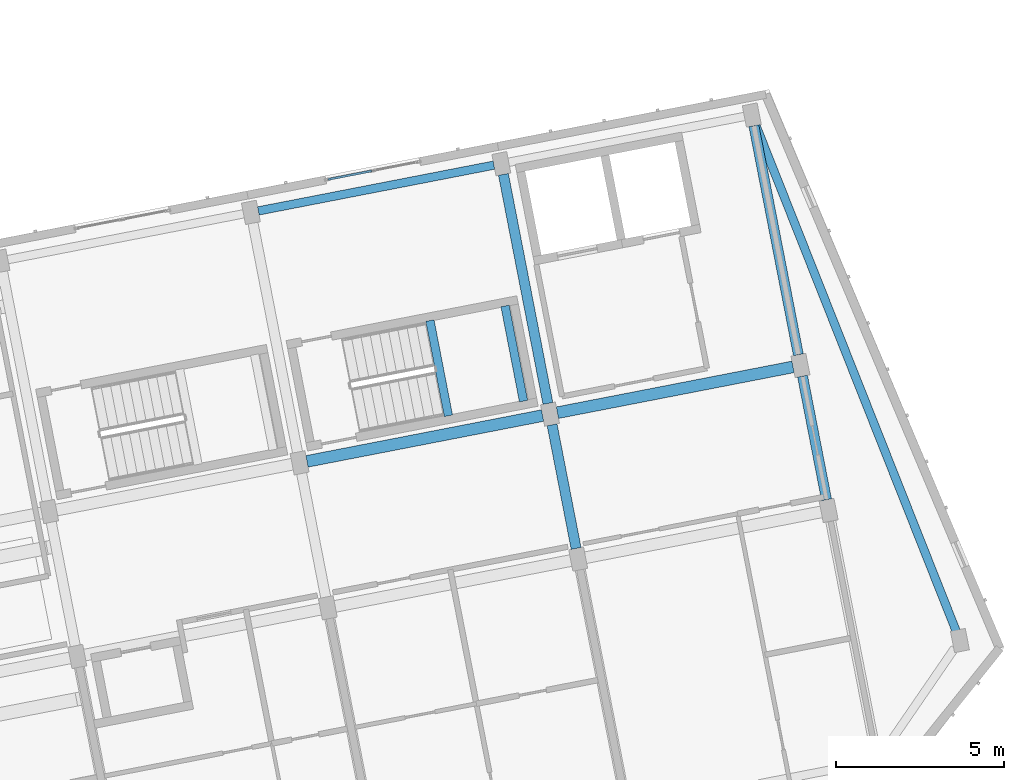
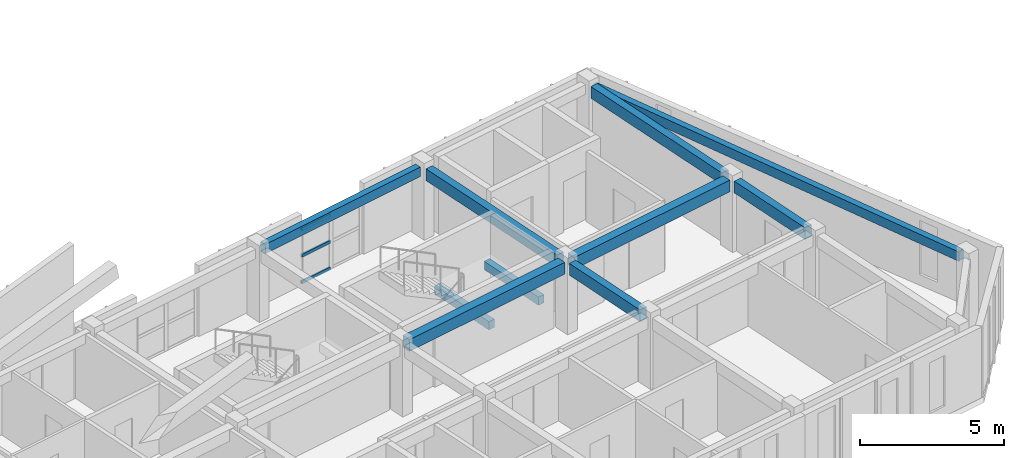
# One storey, part 11 of 64: 10 beams, 3 members, 1 element without a shape of its own.
"""IFC4 building model written with IfcOpenShell, lengths in metres."""

import ifcopenshell
import ifcopenshell.guid

model = None  # the IFC model being written
_history = None  # IfcOwnerHistory: only IFC2X3 demands one
_inside = {}  # id of a spatial element -> (the spatial element, [elements in it])
_under = {}  # id of a project, library or spatial element -> (it, [spatial elements below it])
_declared = {}  # id of a project -> (the project, [libraries it declares])
_typed = {}  # id of a type object -> (the type object, [elements of that type])
_made_of = {}  # id of a material, layer set ... -> (it, [elements and type objects made of it])


def new_model(schema):
    """Start an empty IFC model of exactly this schema.

    Asked for "IFC4X3", IfcOpenShell would pick the latest addendum, in which some entities
    have other attributes; the version numbers below select the first issue.
    IFC2X3 requires an IfcOwnerHistory on every rooted entity: one is made here for all.
    """
    global model, _history
    if schema == "IFC4X3":
        model = ifcopenshell.file(schema_version=(4, 3, 0, 0))
    else:
        model = ifcopenshell.file(schema=schema)
    _inside.clear()
    _under.clear()
    _declared.clear()
    _typed.clear()
    _made_of.clear()
    _history = None
    if model.schema == "IFC2X3":
        org = make("IfcOrganization", Name="unknown")
        user = make(
            "IfcPersonAndOrganization",
            ThePerson=make("IfcPerson", FamilyName="unknown"),
            TheOrganization=org,
        )
        app = make(
            "IfcApplication",
            ApplicationDeveloper=org,
            Version="unknown",
            ApplicationFullName="unknown",
            ApplicationIdentifier="unknown",
        )
        _history = make(
            "IfcOwnerHistory",
            OwningUser=user,
            OwningApplication=app,
            ChangeAction="ADDED",
            CreationDate=0,
        )
    return model


def make(cls, **values):
    """One entity of the class cls with the attributes given. An attribute that is None is left unset."""
    return model.create_entity(
        cls, **{name: value for name, value in values.items() if value is not None}
    )


def rooted(cls, **values):
    """An entity with a GlobalId (a new one), such as an element, a storey or a relation."""
    return make(cls, GlobalId=ifcopenshell.guid.new(), OwnerHistory=_history, **values)


def si_unit(unit_type, name, prefix=None):
    """IfcSIUnit, for example si_unit("LENGTHUNIT", "METRE", prefix="MILLI")."""
    return make("IfcSIUnit", UnitType=unit_type, Prefix=prefix, Name=name)


def assignment(units):
    """IfcUnitAssignment: the units of a project."""
    return None if units is None else make("IfcUnitAssignment", Units=units)


def point(xyz):
    """IfcCartesianPoint."""
    return None if xyz is None else make("IfcCartesianPoint", Coordinates=xyz)


def direction(xyz):
    """IfcDirection."""
    return None if xyz is None else make("IfcDirection", DirectionRatios=xyz)


def frame(location, z_axis=None, x_axis=None):
    """IfcAxis2Placement3D, a coordinate frame: its origin and axes. An axis left out is left unset."""
    return make(
        "IfcAxis2Placement3D",
        Location=point(location),
        Axis=direction(z_axis),
        RefDirection=direction(x_axis),
    )


def frame_2d(location, x_axis=None):
    """IfcAxis2Placement2D, a coordinate frame in the plane: its origin and x axis."""
    return make(
        "IfcAxis2Placement2D", Location=point(location), RefDirection=direction(x_axis)
    )


def origin():
    """The frame at (0, 0, 0) with its axes left unset."""
    return frame((0.0, 0.0, 0.0))


def origin_2d():
    """The frame at (0, 0) in the plane with its x axis left unset."""
    return frame_2d((0.0, 0.0))


def place(relative_to, where):
    """IfcLocalPlacement: puts the frame where relative to a parent placement (None: the world)."""
    return make(
        "IfcLocalPlacement", PlacementRelTo=relative_to, RelativePlacement=where
    )


def context(
    kind, dimensions, precision=None, world=None, true_north=None, identifier=None
):
    """IfcGeometricRepresentationContext, for example the 3D "Model" context."""
    return make(
        "IfcGeometricRepresentationContext",
        ContextIdentifier=identifier,
        ContextType=kind,
        CoordinateSpaceDimension=dimensions,
        Precision=precision,
        WorldCoordinateSystem=world,
        TrueNorth=true_north,
    )


def subcontext(parent, identifier, kind, view, scale=None):
    """IfcGeometricRepresentationSubContext, for example "Body" below "Model"."""
    return make(
        "IfcGeometricRepresentationSubContext",
        ContextIdentifier=identifier,
        ContextType=kind,
        ParentContext=parent,
        TargetScale=scale,
        TargetView=view,
    )


def project(units=None, contexts=None):
    """IfcProject with its units and contexts."""
    return rooted(
        "IfcProject",
        Name="project",
        RepresentationContexts=contexts,
        UnitsInContext=assignment(units),
    )


def spatial(cls, under=None, at=None, **own):
    """A site, building, storey or space (cls), placed at a placement, below another one or the project."""
    s = rooted(cls, ObjectPlacement=at, **own)
    if under is not None:
        _under.setdefault(under.id(), (under, []))[1].append(s)
    return s


def profile(cls, at=None, kind="AREA", **sizes):
    """A parametric profile (cls). Its sizes go by their IFC names, for example OverallWidth=200.0."""
    return make(cls, ProfileType=kind, Position=at, **sizes)


def rectangle(**sizes):
    """IfcRectangleProfileDef."""
    return profile("IfcRectangleProfileDef", **sizes)


def hollow_rectangle(**sizes):
    """IfcRectangleHollowProfileDef."""
    return profile("IfcRectangleHollowProfileDef", **sizes)


def extrude(swept, where, along, depth):
    """IfcExtrudedAreaSolid: the profile swept, set in the frame where, extruded along a direction by depth."""
    return make(
        "IfcExtrudedAreaSolid",
        SweptArea=swept,
        Position=where,
        ExtrudedDirection=direction(along),
        Depth=depth,
    )


def shape(context_of_items, identifier, shape_type, items):
    """IfcShapeRepresentation: the items that make up one representation, for example the "Body"."""
    return make(
        "IfcShapeRepresentation",
        ContextOfItems=context_of_items,
        RepresentationIdentifier=identifier,
        RepresentationType=shape_type,
        Items=items,
    )


def material(Name=None, Category=None):
    """IfcMaterial."""
    return make("IfcMaterial", Name=Name, Category=Category)


def material_profile(
    of_material, cross_section, Name=None, Category=None, Priority=None
):
    """IfcMaterialProfile: a cross section and its material."""
    return make(
        "IfcMaterialProfile",
        Name=Name,
        Material=of_material,
        Profile=cross_section,
        Priority=Priority,
        Category=Category,
    )


def profile_set(profiles, Name=None, composite=None):
    """IfcMaterialProfileSet."""
    return make(
        "IfcMaterialProfileSet",
        Name=Name,
        MaterialProfiles=profiles,
        CompositeProfile=composite,
    )


def made_of(thing, what):
    """Note that an element or type object is made of a material, layer set ...; save() writes the relation."""
    if what is not None:
        _made_of.setdefault(what.id(), (what, []))[1].append(thing)
    return thing


def type_object(cls, material=None, **own):
    """A type object (cls), such as IfcWallType, which elements share."""
    return made_of(rooted(cls, **own), material)


def element(
    cls,
    number,
    at=None,
    inside=None,
    cuts=None,
    type_object=None,
    material=None,
    context=None,
    identifier="Body",
    shape_type=None,
    held_by="IfcProductDefinitionShape",
    body=None,
    shapes=None,
    **own,
):
    """One element of the class cls, such as IfcWall. Its Tag is "e" and its number.

    at: its placement. inside: the storey or other place that contains it. cuts: it is an
    opening in that element (IfcRelVoidsElement). A single representation is given by context,
    identifier, shape_type and body (its items); several are given by shapes. held_by: the class
    of the entity that holds the representations. save() writes the other relations.
    """
    e = rooted(cls, Tag="e%d" % number, ObjectPlacement=at, **own)
    if body is not None:
        shapes = [shape(context, identifier, shape_type, body)]
    if shapes is not None:
        e.Representation = make(held_by, Representations=shapes)
    if inside is not None:
        _inside.setdefault(inside.id(), (inside, []))[1].append(e)
    if cuts is not None:
        rooted(
            "IfcRelVoidsElement", RelatingBuildingElement=cuts, RelatedOpeningElement=e
        )
    if type_object is not None:
        _typed.setdefault(type_object.id(), (type_object, []))[1].append(e)
    return made_of(e, material)


def aggregate(whole, parts):
    """IfcRelAggregates: a whole, such as a stair, and the parts it consists of."""
    return rooted("IfcRelAggregates", RelatingObject=whole, RelatedObjects=parts)


def save(model, path):
    """Write the relations noted so far, then the file.

    IfcRelAggregates (storeys below a building ...), IfcRelContainedInSpatialStructure (elements
    in a storey), IfcRelDefinesByType, IfcRelAssociatesMaterial and IfcRelDeclares: one each for
    every whole, place, type object, material and project.
    """
    for whole, parts in _under.values():
        aggregate(whole, parts)
    for where, things in _inside.values():
        rooted(
            "IfcRelContainedInSpatialStructure",
            RelatedElements=things,
            RelatingStructure=where,
        )
    for kind, things in _typed.values():
        rooted("IfcRelDefinesByType", RelatedObjects=things, RelatingType=kind)
    for what, things in _made_of.values():
        rooted("IfcRelAssociatesMaterial", RelatedObjects=things, RelatingMaterial=what)
    for by, libraries in _declared.values():
        rooted("IfcRelDeclares", RelatingContext=by, RelatedDefinitions=libraries)
    model.write(path)


model = new_model("IFC4")

# Units and contexts
model_context = context("Model", 3, precision=1e-05, world=origin(), true_north=direction((0.0, 1.0)))
body_context = subcontext(model_context, "Body", "Model", "MODEL_VIEW")
ifc_project = project(units=[si_unit("LENGTHUNIT", "METRE"), si_unit("AREAUNIT", "SQUARE_METRE"), si_unit("VOLUMEUNIT", "CUBIC_METRE"), si_unit("PLANEANGLEUNIT", "RADIAN"), si_unit("MASSUNIT", "GRAM", prefix="KILO")], contexts=[model_context])

# Site, building, storey
site_placement = place(None, origin())
site = spatial("IfcSite", under=ifc_project, at=site_placement, CompositionType="ELEMENT")
building_placement = place(site_placement, origin())
building = spatial("IfcBuilding", under=site, at=building_placement, Name="Kestramere Prow Commons", CompositionType="ELEMENT")
storey_placement = place(building_placement, frame((0.0, 0.0, 24.64990234375)))
storey = spatial("IfcBuildingStorey", under=building, at=storey_placement, Name="L07", CompositionType="ELEMENT", Elevation=24.64990234375)

# Beams
ifc_material_1 = material(Name="Precast concrete C40/50", Category="concrete")
ifc_material_profile_1 = material_profile(ifc_material_1, rectangle(XDim=0.35009765625, YDim=0.5, at=origin_2d()), Name="PC-BM 350x500")
ifc_profile_set_1 = profile_set([ifc_material_profile_1], Name="Precast concrete C40/50")
beam_type_1 = type_object("IfcBeamType", Name="BM-D1 PC-BM 350x500", PredefinedType="BEAM", material=ifc_profile_set_1)
for number, where, z_axis, x_axis, name in (
    (1, (146.172607421875, 51.623046875, 2.75), (0.981627472063, 0.190807510571, 0.0), (-0.190807510571, 0.981627472063, 0.0), "Block D L07 Longitudinal Beam 3-5"),
    (2, (153.633056640625, 53.0732421875, 2.75), (0.981627472063, 0.190807510571, 0.0), (-0.190807510571, 0.981627472063, 0.0), "Block D L07 Longitudinal Beam 3-6"),
):
    element("IfcBeam", number, at=place(storey_placement, frame(where, z_axis=z_axis, x_axis=x_axis)), inside=storey, type_object=beam_type_1, Name=name, PredefinedType="BEAM", context=body_context, shape_type="SweptSolid", body=[
        extrude(rectangle(XDim=0.35009765625, YDim=0.5, at=origin_2d()), origin(), (0.0, 0.0, 1.0), 7.14990234375),
    ])
ifc_material_2 = material(Name="Concrete C40/50", Category="concrete")
ifc_material_profile_2 = material_profile(ifc_material_2, rectangle(XDim=0.25, YDim=0.35009765625, at=origin_2d()), Name="PC-BM 250x350")
ifc_profile_set_2 = profile_set([ifc_material_profile_2], Name="Concrete C40/50")
beam_type_2 = type_object("IfcBeamType", Name="BM-ST-TRIM", PredefinedType="BEAM", material=ifc_profile_set_2)
beam_1_placement = place(storey_placement, frame((150.3857421875, 52.98193359375, 1.25), z_axis=(-0.190833481473, 0.981622423516, 0.0), x_axis=(-0.981622423516, -0.190833481473, 0.0)))
element("IfcBeam", 3, at=beam_1_placement, inside=storey, type_object=beam_type_2, Name="ST-D2 L07 Landing Trimmer Beam 1A", PredefinedType="BEAM", context=body_context, shape_type="SweptSolid", body=[
    extrude(rectangle(XDim=0.25, YDim=0.35009765625, at=origin_2d()), origin(), (0.0, 0.0, 1.0), 2.89013671875),
])
beam_2_placement = place(storey_placement, frame((152.623779296875, 53.4169921875, 1.25), z_axis=(-0.190752078966, 0.981638245165, 0.0), x_axis=(-0.981638245165, -0.190752078966, 0.0)))
element("IfcBeam", 4, at=beam_2_placement, inside=storey, type_object=beam_type_2, Name="ST-D2 L07 Landing Trimmer Beam 1B", PredefinedType="BEAM", context=body_context, shape_type="SweptSolid", body=[
    extrude(rectangle(XDim=0.25, YDim=0.35009765625, at=origin_2d()), origin(), (0.0, 0.0, 1.0), 2.889892578125),
])
ifc_material_profile_3 = material_profile(ifc_material_1, rectangle(XDim=0.300048828125, YDim=0.5, at=origin_2d()), Name="PC-BM 300x500")
ifc_profile_set_3 = profile_set([ifc_material_profile_3], Name="Precast concrete C40/50")
beam_type_3 = type_object("IfcBeamType", Name="BM-TIE-01 PC-BM 300x500", PredefinedType="BEAM", material=ifc_profile_set_3)
beam_3_placement = place(storey_placement, frame((154.189697265625, 49.030029296875, 2.75), z_axis=(-0.190817382683, 0.981625553083, 0.0), x_axis=(-0.981625553083, -0.190817382683, 0.0)))
element("IfcBeam", 5, at=beam_3_placement, inside=storey, type_object=beam_type_3, Name="Block D L07 Transverse Beam 6-2", PredefinedType="BEAM", context=body_context, shape_type="SweptSolid", body=[
    extrude(rectangle(XDim=0.300048828125, YDim=0.5, at=origin_2d()), origin(), (0.0, 0.0, 1.0), 3.75),
])
beam_4_placement = place(storey_placement, frame((153.35009765625, 53.349365234375, 2.75), z_axis=(-0.190817005532, 0.981625626397, 0.0), x_axis=(-0.981625626397, -0.190817005532, 0.0)))
element("IfcBeam", 6, at=beam_4_placement, inside=storey, type_object=beam_type_3, Name="Block D L07 Transverse Beam 6-3", PredefinedType="BEAM", context=body_context, shape_type="SweptSolid", body=[
    extrude(rectangle(XDim=0.300048828125, YDim=0.5, at=origin_2d()), origin(), (0.0, 0.0, 1.0), 6.949951171875),
])
beam_5_placement = place(storey_placement, frame((161.650146484375, 50.480224609375, 2.75), z_axis=(-0.190817382683, 0.981625553083, 0.0), x_axis=(-0.981625553083, -0.190817382683, 0.0)))
element("IfcBeam", 7, at=beam_5_placement, inside=storey, type_object=beam_type_3, Name="Block D L07 Transverse Beam 7-2", PredefinedType="BEAM", context=body_context, shape_type="SweptSolid", body=[
    extrude(rectangle(XDim=0.300048828125, YDim=0.5, at=origin_2d()), origin(), (0.0, 0.0, 1.0), 3.75),
])
beam_6_placement = place(storey_placement, frame((160.810546875, 54.799560546875, 2.75), z_axis=(-0.190817005532, 0.981625626397, 0.0), x_axis=(-0.981625626397, -0.190817005532, 0.0)))
element("IfcBeam", 8, at=beam_6_placement, inside=storey, type_object=beam_type_3, Name="Block D L07 Transverse Beam 7-3", PredefinedType="BEAM", context=body_context, shape_type="SweptSolid", body=[
    extrude(rectangle(XDim=0.300048828125, YDim=0.5, at=origin_2d()), origin(), (0.0, 0.0, 1.0), 6.949951171875),
])

# Curtain wall, members
ifc_material_3 = material(Name="Anodised Aluminium and Low-E Glass", Category="aluminium")
curtain_wall_type = type_object("IfcCurtainWallType", Name="CW-03 Glazed Curtain Wall 2830x2320", PredefinedType="USERDEFINED", material=ifc_material_3)
curtain_wall_placement = place(storey_placement, origin())
curtain_wall = element("IfcCurtainWall", 9, at=curtain_wall_placement, inside=storey, type_object=curtain_wall_type, Name="Block D L07 Stairwell Vertical Glazing 5", ObjectType="GLAZED CURTAIN WALL", PredefinedType="USERDEFINED")
ifc_material_4 = material(Name="Anodised Aluminium 6063-T6", Category="aluminium")
ifc_material_profile_4 = material_profile(ifc_material_4, hollow_rectangle(XDim=0.06494140625, YDim=0.1298828125, WallThickness=0.00390625, at=origin_2d()), Name="ALU-TRN 65x130")
ifc_profile_set_4 = profile_set([ifc_material_profile_4], Name="Anodised Aluminium 6063-T6")
member_type = type_object("IfcMemberType", Name="CW-TRN-65x130", PredefinedType="USERDEFINED", material=ifc_profile_set_4)
member_1_placement = place(storey_placement, frame((146.806396484375, 60.0234375, 0.03271484375), z_axis=(0.981649131804, 0.190696046182, 0.0), x_axis=(-0.190696046182, 0.981649131804, 0.0)))
member_1 = element("IfcMember", 10, at=member_1_placement, type_object=member_type, Name="CW-03 transom 1.1", ObjectType="TRANSOM", PredefinedType="USERDEFINED", context=body_context, shape_type="SweptSolid", body=[
    extrude(hollow_rectangle(XDim=0.06494140625, YDim=0.1298828125, WallThickness=0.00390625, at=origin_2d()), origin(), (0.0, 0.0, 1.0), 1.3173828125),
])
member_2_placement = place(storey_placement, frame((146.806396484375, 60.0234375, 1.16015625), z_axis=(0.981649131804, 0.190696046182, 0.0), x_axis=(-0.190696046182, 0.981649131804, 0.0)))
member_2 = element("IfcMember", 11, at=member_2_placement, type_object=member_type, Name="CW-03 transom 1.2", ObjectType="TRANSOM", PredefinedType="USERDEFINED", context=body_context, shape_type="SweptSolid", body=[
    extrude(hollow_rectangle(XDim=0.06494140625, YDim=0.1298828125, WallThickness=0.00390625, at=origin_2d()), origin(), (0.0, 0.0, 1.0), 1.3173828125),
])
member_3_placement = place(storey_placement, frame((146.806396484375, 60.0234375, 2.28759765625), z_axis=(0.981649131804, 0.190696046182, 0.0), x_axis=(-0.190696046182, 0.981649131804, 0.0)))
member_3 = element("IfcMember", 12, at=member_3_placement, type_object=member_type, Name="CW-03 transom 1.3", ObjectType="TRANSOM", PredefinedType="USERDEFINED", context=body_context, shape_type="SweptSolid", body=[
    extrude(hollow_rectangle(XDim=0.06494140625, YDim=0.1298828125, WallThickness=0.00390625, at=origin_2d()), origin(), (0.0, 0.0, 1.0), 1.3173828125),
])
aggregate(curtain_wall, [member_1, member_2, member_3])

# Beams
ifc_material_profile_5 = material_profile(ifc_material_1, rectangle(XDim=0.25, YDim=0.39990234375, at=origin_2d()), Name="PC-SP 250x400")
ifc_profile_set_5 = profile_set([ifc_material_profile_5], Name="Precast concrete C40/50")
beam_type_4 = type_object("IfcBeamType", Name="SP-EXT-01 PC-SP 250x400", PredefinedType="SPANDREL", material=ifc_profile_set_5)
beam_7_placement = place(storey_placement, frame((159.525390625, 61.680419921875, 2.800048828125), z_axis=(0.368282919079, -0.929713768595, 0.0), x_axis=(0.929713768595, 0.368282919079, 0.0)))
element("IfcBeam", 13, at=beam_7_placement, inside=storey, type_object=beam_type_4, Name="Block D L07 Prow Facet Beam N", PredefinedType="SPANDREL", context=body_context, shape_type="SweptSolid", body=[
    extrude(rectangle(XDim=0.25, YDim=0.39990234375, at=origin_2d()), origin(), (0.0, 0.0, 1.0), 16.27783203125),
])
beam_8_placement = place(storey_placement, frame((144.722412109375, 59.08349609375, 2.800048828125), z_axis=(0.981628715169, 0.190801115182, 0.0), x_axis=(-0.190801115182, 0.981628715169, 0.0)))
element("IfcBeam", 14, at=beam_8_placement, inside=storey, type_object=beam_type_4, Name="Block D L07 Longitudinal Beam 4-5", PredefinedType="SPANDREL", context=body_context, shape_type="SweptSolid", body=[
    extrude(rectangle(XDim=0.25, YDim=0.39990234375, at=origin_2d()), origin(), (0.0, 0.0, 1.0), 7.150146484375),
])

save(model, "model.ifc")
